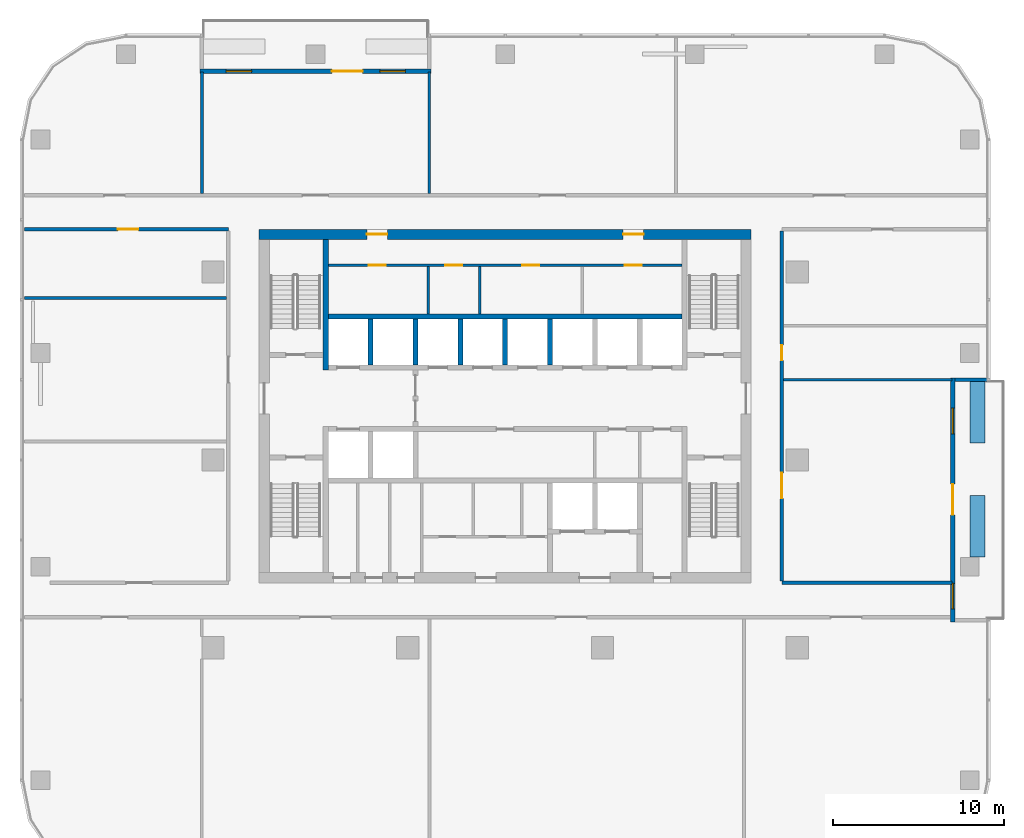
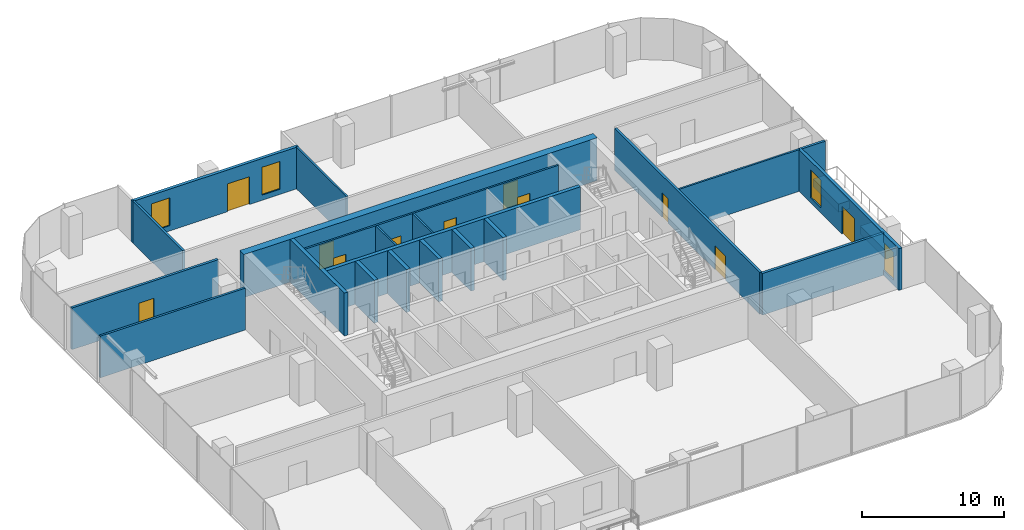
# One storey, part 9 of 14: 23 walls, 11 doors, 4 windows, 15 openings.
"""IFC4 building model written with IfcOpenShell, lengths in metres."""

from ifc_helpers import new_model, si_unit, direction, frame, frame_2d, origin, place, context, subcontext, project, spatial, rectangle, extrude, material, layer, layer_set, type_object, element, fill, save


model = new_model("IFC4")

# Units and contexts
model_context = context("Model", 3, precision=1e-05, world=origin(), true_north=direction((0.0, 1.0)))
body_context = subcontext(model_context, "Body", "Model", "MODEL_VIEW")
ifc_project = project(units=[si_unit("LENGTHUNIT", "METRE"), si_unit("AREAUNIT", "SQUARE_METRE"), si_unit("VOLUMEUNIT", "CUBIC_METRE"), si_unit("PLANEANGLEUNIT", "RADIAN"), si_unit("MASSUNIT", "GRAM", prefix="KILO")], contexts=[model_context])

# Site, building, storey
site_placement = place(None, origin())
site = spatial("IfcSite", under=ifc_project, at=site_placement, CompositionType="ELEMENT")
building_placement = place(site_placement, origin())
building = spatial("IfcBuilding", under=site, at=building_placement, Name="Mopane Tessera Tower", CompositionType="ELEMENT")
storey_placement = place(building_placement, frame((0.0, 0.0, 231.0)))
storey = spatial("IfcBuildingStorey", under=building, at=storey_placement, Name="L49", CompositionType="ELEMENT", Elevation=231.0)

# Walls
ifc_material_1 = material(Name="Fire-rated gypsum board partition")
ifc_layer_1 = layer(ifc_material_1, 0.14990234375)
ifc_layer_set_1 = layer_set([ifc_layer_1], Name="Fire-rated gypsum board partition")
wall_type_1 = type_object("IfcWallType", Name="Core room partition 150 mm", PredefinedType="PARTITIONING", material=ifc_layer_set_1)
for number, where, z_axis, x_axis, name in (
    (1, (-4.5, 8.550048828125, 0.0), (0.0, 0.0, 1.0), (0.0, 1.0, 0.0), "L49 Room partition"),
    (2, (-1.5, 8.550048828125, 0.0), (0.0, 0.0, 1.0), (0.0, 1.0, 0.0), "L49 Room partition"),
):
    element("IfcWall", number, at=place(storey_placement, frame(where, z_axis=z_axis, x_axis=x_axis)), inside=storey, type_object=wall_type_1, Name=name, PredefinedType="PARTITIONING", context=body_context, shape_type="SweptSolid", body=[
        extrude(rectangle(XDim=2.77490234375, YDim=0.14990234375, at=frame_2d((1.387451171875, 0.0))), origin(), (0.0, 0.0, 1.0), 3.699951171875),
    ])

# Wall, openings, doors
wall_1_placement = place(storey_placement, frame((-10.35009765625, 11.39990234375, 0.0), z_axis=(0.0, 0.0, 1.0), x_axis=(1.0, 0.0, 0.0)))
wall_1 = element("IfcWall", 3, at=wall_1_placement, inside=storey, type_object=wall_type_1, Name="L49 Corridor wall", PredefinedType="PARTITIONING", context=body_context, shape_type="SweptSolid", body=[
    extrude(rectangle(XDim=20.7001953125, YDim=0.14990234375, at=frame_2d((10.35009765625, 0.0))), origin(), (0.0, 0.0, 1.0), 3.699951171875),
])
opening_1_placement = place(wall_1_placement, frame((2.35009765625, 0.0, 0.0)))
opening_1 = element("IfcOpeningElement", 4, at=opening_1_placement, cuts=wall_1, Name="Opening RD1", PredefinedType="OPENING", context=body_context, shape_type="SweptSolid", body=[
    extrude(rectangle(XDim=1.0, YDim=2.10009765625, at=frame_2d((0.5, 1.050048828125))), frame((0.0, 0.0869140625, 0.0), z_axis=(0.0, -1.0, 0.0), x_axis=(1.0, 0.0, 0.0)), (0.0, 0.0, 1.0), 0.173828125),
])
opening_2_placement = place(wall_1_placement, frame((6.85009765625, 0.0, 0.0)))
opening_2 = element("IfcOpeningElement", 5, at=opening_2_placement, cuts=wall_1, Name="Opening RD1", PredefinedType="OPENING", context=body_context, shape_type="SweptSolid", body=[
    extrude(rectangle(XDim=1.0, YDim=2.10009765625, at=frame_2d((0.5, 1.050048828125))), frame((0.0, 0.0869140625, 0.0), z_axis=(0.0, -1.0, 0.0), x_axis=(1.0, 0.0, 0.0)), (0.0, 0.0, 1.0), 0.173828125),
])
opening_3_placement = place(wall_1_placement, frame((11.35009765625, 0.0, 0.0)))
opening_3 = element("IfcOpeningElement", 6, at=opening_3_placement, cuts=wall_1, Name="Opening RD1", PredefinedType="OPENING", context=body_context, shape_type="SweptSolid", body=[
    extrude(rectangle(XDim=1.0, YDim=2.10009765625, at=frame_2d((0.5, 1.050048828125))), frame((0.0, 0.0869140625, 0.0), z_axis=(0.0, -1.0, 0.0), x_axis=(1.0, 0.0, 0.0)), (0.0, 0.0, 1.0), 0.173828125),
])
opening_4_placement = place(wall_1_placement, frame((17.35009765625, 0.0, 0.0)))
opening_4 = element("IfcOpeningElement", 7, at=opening_4_placement, cuts=wall_1, Name="Opening RD1", PredefinedType="OPENING", context=body_context, shape_type="SweptSolid", body=[
    extrude(rectangle(XDim=1.0, YDim=2.10009765625, at=frame_2d((0.5, 1.050048828125))), frame((0.0, 0.0869140625, 0.0), z_axis=(0.0, -1.0, 0.0), x_axis=(1.0, 0.0, 0.0)), (0.0, 0.0, 1.0), 0.173828125),
])
ifc_material_2 = material(Name="Timber door", Category="wood")
door_type_1 = type_object("IfcDoorType", Name="Core room door 1000 x 2100", OperationType="SINGLE_SWING_LEFT", PredefinedType="DOOR", material=ifc_material_2)
door_1_placement = place(opening_1_placement, origin())
door_1 = element("IfcDoor", 8, at=door_1_placement, inside=storey, type_object=door_type_1, Name="L49 Room door", OperationType="SINGLE_SWING_LEFT", OverallHeight=2.10009765625, OverallWidth=1.0, PredefinedType="DOOR", context=body_context, shape_type="SweptSolid", body=[
    extrude(rectangle(XDim=1.0, YDim=2.10009765625, at=frame_2d((0.5, 1.050048828125))), frame((0.0, 0.02490234375, 0.0), z_axis=(0.0, -1.0, 0.0), x_axis=(1.0, 0.0, 0.0)), (0.0, 0.0, 1.0), 0.050048828125),
])
fill(opening_1, door_1)
door_2_placement = place(opening_2_placement, origin())
door_2 = element("IfcDoor", 9, at=door_2_placement, inside=storey, type_object=door_type_1, Name="L49 Room door", OperationType="SINGLE_SWING_LEFT", OverallHeight=2.10009765625, OverallWidth=1.0, PredefinedType="DOOR", context=body_context, shape_type="SweptSolid", body=[
    extrude(rectangle(XDim=1.0, YDim=2.10009765625, at=frame_2d((0.5, 1.050048828125))), frame((0.0, 0.02490234375, 0.0), z_axis=(0.0, -1.0, 0.0), x_axis=(1.0, 0.0, 0.0)), (0.0, 0.0, 1.0), 0.050048828125),
])
fill(opening_2, door_2)
door_3_placement = place(opening_3_placement, origin())
door_3 = element("IfcDoor", 10, at=door_3_placement, inside=storey, type_object=door_type_1, Name="L49 Room door", OperationType="SINGLE_SWING_LEFT", OverallHeight=2.10009765625, OverallWidth=1.0, PredefinedType="DOOR", context=body_context, shape_type="SweptSolid", body=[
    extrude(rectangle(XDim=1.0, YDim=2.10009765625, at=frame_2d((0.5, 1.050048828125))), frame((0.0, 0.02490234375, 0.0), z_axis=(0.0, -1.0, 0.0), x_axis=(1.0, 0.0, 0.0)), (0.0, 0.0, 1.0), 0.050048828125),
])
fill(opening_3, door_3)
door_4_placement = place(opening_4_placement, origin())
door_4 = element("IfcDoor", 11, at=door_4_placement, inside=storey, type_object=door_type_1, Name="L49 Room door", OperationType="SINGLE_SWING_LEFT", OverallHeight=2.10009765625, OverallWidth=1.0, PredefinedType="DOOR", context=body_context, shape_type="SweptSolid", body=[
    extrude(rectangle(XDim=1.0, YDim=2.10009765625, at=frame_2d((0.5, 1.050048828125))), frame((0.0, 0.02490234375, 0.0), z_axis=(0.0, -1.0, 0.0), x_axis=(1.0, 0.0, 0.0)), (0.0, 0.0, 1.0), 0.050048828125),
])
fill(opening_4, door_4)

ifc_material_3 = material(Name="Concrete C70/85", Category="concrete")
ifc_layer_2 = layer(ifc_material_3, 0.60009765625)
ifc_layer_set_2 = layer_set([ifc_layer_2], Name="Concrete C70/85")
wall_type_2 = type_object("IfcWallType", Name="Core shear wall 600 mm", PredefinedType="SHEAR", material=ifc_layer_set_2)
wall_2_placement = place(storey_placement, frame((-14.39990234375, 13.199951171875, 0.0), z_axis=(0.0, 0.0, 1.0), x_axis=(1.0, 0.0, 0.0)))
wall_2 = element("IfcWall", 12, at=wall_2_placement, inside=storey, type_object=wall_type_2, Name="L49 Core wall north", PredefinedType="SHEAR", context=body_context, shape_type="SweptSolid", body=[
    extrude(rectangle(XDim=28.7998046875, YDim=0.60009765625, at=frame_2d((14.39990234375, 0.0))), origin(), (0.0, 0.0, 1.0), 3.699951171875),
])
opening_5_placement = place(wall_2_placement, frame((6.300048828125, 0.0, 0.0)))
opening_5 = element("IfcOpeningElement", 13, at=opening_5_placement, cuts=wall_2, Name="Opening RD2", PredefinedType="OPENING", context=body_context, shape_type="SweptSolid", body=[
    extrude(rectangle(XDim=1.199951171875, YDim=2.10009765625, at=frame_2d((0.60009765625, 1.050048828125))), frame((0.0, 0.31201171875, 0.0), z_axis=(0.0, -1.0, 0.0), x_axis=(1.0, 0.0, 0.0)), (0.0, 0.0, 1.0), 0.6240234375),
])
opening_6_placement = place(wall_2_placement, frame((21.300048828125, 0.0, 0.0)))
opening_6 = element("IfcOpeningElement", 14, at=opening_6_placement, cuts=wall_2, Name="Opening RD2", PredefinedType="OPENING", context=body_context, shape_type="SweptSolid", body=[
    extrude(rectangle(XDim=1.199951171875, YDim=2.10009765625, at=frame_2d((0.60009765625, 1.050048828125))), frame((0.0, 0.31201171875, 0.0), z_axis=(0.0, -1.0, 0.0), x_axis=(1.0, 0.0, 0.0)), (0.0, 0.0, 1.0), 0.6240234375),
])
ifc_material_4 = material(Name="Timber door", Category="wood")
door_type_2 = type_object("IfcDoorType", Name="Core corridor door 1200 x 2100", OperationType="SINGLE_SWING_LEFT", PredefinedType="DOOR", material=ifc_material_4)
door_5_placement = place(opening_5_placement, origin())
door_5 = element("IfcDoor", 15, at=door_5_placement, inside=storey, type_object=door_type_2, Name="L49 Corridor door", OperationType="SINGLE_SWING_LEFT", OverallHeight=2.10009765625, OverallWidth=1.199951171875, PredefinedType="DOOR", context=body_context, shape_type="SweptSolid", body=[
    extrude(rectangle(XDim=1.199951171875, YDim=2.10009765625, at=frame_2d((0.60009765625, 1.050048828125))), frame((0.0, 0.02490234375, 0.0), z_axis=(0.0, -1.0, 0.0), x_axis=(1.0, 0.0, 0.0)), (0.0, 0.0, 1.0), 0.050048828125),
])
fill(opening_5, door_5)
door_6_placement = place(opening_6_placement, origin())
door_6 = element("IfcDoor", 16, at=door_6_placement, inside=storey, type_object=door_type_2, Name="L49 Corridor door", OperationType="SINGLE_SWING_RIGHT", OverallHeight=2.10009765625, OverallWidth=1.199951171875, PredefinedType="DOOR", context=body_context, shape_type="SweptSolid", body=[
    extrude(rectangle(XDim=1.199951171875, YDim=2.10009765625, at=frame_2d((0.60009765625, 1.050048828125))), frame((0.0, 0.02490234375, 0.0), z_axis=(0.0, -1.0, 0.0), x_axis=(1.0, 0.0, 0.0)), (0.0, 0.0, 1.0), 0.050048828125),
])
fill(opening_6, door_6)

# Walls
ifc_material_5 = material(Name="Concrete C60/75", Category="concrete")
ifc_layer_3 = layer(ifc_material_5, 0.300048828125)
ifc_layer_set_3 = layer_set([ifc_layer_3], Name="Concrete C60/75")
wall_type_3 = type_object("IfcWallType", Name="Core spine wall 300 mm", PredefinedType="SHEAR", material=ifc_layer_set_3)
wall_3_placement = place(storey_placement, frame((-10.5, 5.25, 0.0), z_axis=(0.0, 0.0, 1.0), x_axis=(0.0, 1.0, 0.0)))
element("IfcWall", 17, at=wall_3_placement, inside=storey, type_object=wall_type_3, Name="L49 Core spine wall", PredefinedType="SHEAR", context=body_context, shape_type="SweptSolid", body=[
    extrude(rectangle(XDim=7.64990234375, YDim=0.300048828125, at=frame_2d((3.824951171875, 0.0))), origin(), (0.0, 0.0, 1.0), 3.699951171875),
])
ifc_material_6 = material(Name="Gypsum board on staggered steel studs, double layer each face, acoustic mineral wool infill", Category="steel")
ifc_layer_4 = layer(ifc_material_6, 0.175048828125)
ifc_layer_set_4 = layer_set([ifc_layer_4], Name="Gypsum board on staggered steel studs, double layer each face, acoustic mineral wool infill")
wall_type_4 = type_object("IfcWallType", Name="Gypsum board acoustic partition 175, rated EI 60", PredefinedType="PARTITIONING", material=ifc_layer_set_4)
wall_4_placement = place(storey_placement, frame((-28.14990234375, 9.485107421875, 0.0), z_axis=(0.0, 0.0, 1.0), x_axis=(1.0, 0.0, 0.0)))
element("IfcWall", 18, at=wall_4_placement, inside=storey, type_object=wall_type_4, Name="Partition L49:006", PredefinedType="PARTITIONING", context=body_context, shape_type="SweptSolid", body=[
    extrude(rectangle(XDim=11.849853515625, YDim=0.175048828125, at=frame_2d((5.9248046875, 0.0))), origin(), (0.0, 0.0, 1.0), 3.60009765625),
])
wall_5_placement = place(storey_placement, frame((-17.760009765625, 15.60009765625, 0.0), z_axis=(0.0, 0.0, 1.0), x_axis=(0.0, 1.0, 0.0)))
element("IfcWall", 19, at=wall_5_placement, inside=storey, type_object=wall_type_4, Name="Partition L49:012", PredefinedType="PARTITIONING", context=body_context, shape_type="SweptSolid", body=[
    extrude(rectangle(XDim=7.099853515625, YDim=0.175048828125, at=frame_2d((3.5498046875, 0.0))), origin(), (0.0, 0.0, 1.0), 3.60009765625),
])
ifc_material_7 = material(Name="Gypsum board on steel studs, two layers each face, mineral wool infill", Category="steel")
ifc_layer_5 = layer(ifc_material_7, 0.199951171875)
ifc_layer_set_5 = layer_set([ifc_layer_5], Name="Gypsum board on steel studs, two layers each face, mineral wool infill")
wall_type_5 = type_object("IfcWallType", Name="Gypsum board corridor wall 200, rated EI 60", PredefinedType="PARTITIONING", material=ifc_layer_set_5)
wall_6_placement = place(storey_placement, frame((16.199951171875, -7.199951171875, 0.0), z_axis=(0.0, 0.0, 1.0), x_axis=(1.0, 0.0, 0.0)))
element("IfcWall", 20, at=wall_6_placement, inside=storey, type_object=wall_type_5, Name="Partition L49:002", PredefinedType="PARTITIONING", context=body_context, shape_type="SweptSolid", body=[
    extrude(rectangle(XDim=9.949951171875, YDim=0.199951171875, at=frame_2d((4.97509765625, 0.0))), origin(), (0.0, 0.0, 1.0), 3.60009765625),
])

# Wall, opening, door
wall_7_placement = place(storey_placement, frame((-28.14990234375, 13.5, 0.0), z_axis=(0.0, 0.0, 1.0), x_axis=(1.0, 0.0, 0.0)))
wall_7 = element("IfcWall", 21, at=wall_7_placement, inside=storey, type_object=wall_type_5, Name="Partition L49:007", PredefinedType="PARTITIONING", context=body_context, shape_type="SweptSolid", body=[
    extrude(rectangle(XDim=11.949951171875, YDim=0.199951171875, at=frame_2d((5.97509765625, 0.0))), origin(), (0.0, 0.0, 1.0), 3.60009765625),
])
opening_7_placement = place(wall_7_placement, frame((5.47509765625, 0.0, 0.0)))
opening_7 = element("IfcOpeningElement", 22, at=opening_7_placement, cuts=wall_7, Name="Opening L49-01", PredefinedType="OPENING", context=body_context, shape_type="SweptSolid", body=[
    extrude(rectangle(XDim=1.199951171875, YDim=2.10009765625, at=frame_2d((0.60009765625, 1.050048828125))), frame((0.0, 0.112060546875, 0.0), z_axis=(0.0, -1.0, 0.0), x_axis=(1.0, 0.0, 0.0)), (0.0, 0.0, 1.0), 0.223876953125),
])
ifc_material_8 = material(Name="Timber veneered steel-framed fire door", Category="steel")
door_type_3 = type_object("IfcDoorType", Name="Fire door FD60 1200 x 2100", OperationType="SINGLE_SWING_LEFT", PredefinedType="DOOR", material=ifc_material_8)
door_7_placement = place(opening_7_placement, origin())
door_7 = element("IfcDoor", 23, at=door_7_placement, inside=storey, type_object=door_type_3, Name="Door L49-01", ObjectType="D15A", OperationType="SINGLE_SWING_LEFT", OverallHeight=2.10009765625, OverallWidth=1.199951171875, PredefinedType="DOOR", context=body_context, shape_type="SweptSolid", body=[
    extrude(rectangle(XDim=1.199951171875, YDim=2.10009765625, at=frame_2d((0.60009765625, 1.050048828125))), frame((0.0, 0.02490234375, 0.0), z_axis=(0.0, -1.0, 0.0), x_axis=(1.0, 0.0, 0.0)), (0.0, 0.0, 1.0), 0.050048828125),
])
fill(opening_7, door_7)

# Wall, openings, doors
wall_8_placement = place(storey_placement, frame((16.199951171875, -7.10009765625, 0.0), z_axis=(0.0, 0.0, 1.0), x_axis=(0.0, 1.0, 0.0)))
wall_8 = element("IfcWall", 24, at=wall_8_placement, inside=storey, type_object=wall_type_5, Name="Partition L49:018", PredefinedType="PARTITIONING", context=body_context, shape_type="SweptSolid", body=[
    extrude(rectangle(XDim=20.5, YDim=0.199951171875, at=frame_2d((10.25, 0.0))), origin(), (0.0, 0.0, 1.0), 3.60009765625),
])
opening_8_placement = place(wall_8_placement, frame((4.844970703125, 0.0, 0.0)))
opening_8 = element("IfcOpeningElement", 25, at=opening_8_placement, cuts=wall_8, Name="Opening L49-05", PredefinedType="OPENING", context=body_context, shape_type="SweptSolid", body=[
    extrude(rectangle(XDim=1.5, YDim=2.10009765625, at=frame_2d((0.75, 1.050048828125))), frame((0.0, 0.112060546875, 0.0), z_axis=(0.0, -1.0, 0.0), x_axis=(1.0, 0.0, 0.0)), (0.0, 0.0, 1.0), 0.223876953125),
])
opening_9_placement = place(wall_8_placement, frame((12.922607421875, 0.0, 0.0)))
opening_9 = element("IfcOpeningElement", 26, at=opening_9_placement, cuts=wall_8, Name="Opening L49-11", PredefinedType="OPENING", context=body_context, shape_type="SweptSolid", body=[
    extrude(rectangle(XDim=0.89990234375, YDim=2.10009765625, at=frame_2d((0.449951171875, 1.050048828125))), frame((0.0, 0.112060546875, 0.0), z_axis=(0.0, -1.0, 0.0), x_axis=(1.0, 0.0, 0.0)), (0.0, 0.0, 1.0), 0.223876953125),
])
ifc_material_9 = material(Name="Timber veneered steel-framed fire door", Category="steel")
door_type_4 = type_object("IfcDoorType", Name="Fire door FD60 900 x 2100", OperationType="SINGLE_SWING_LEFT", PredefinedType="DOOR", material=ifc_material_9)
door_8_placement = place(opening_9_placement, origin())
door_8 = element("IfcDoor", 27, at=door_8_placement, inside=storey, type_object=door_type_4, Name="Door L49-11", ObjectType="D10A", OperationType="SINGLE_SWING_LEFT", OverallHeight=2.10009765625, OverallWidth=0.89990234375, PredefinedType="DOOR", context=body_context, shape_type="SweptSolid", body=[
    extrude(rectangle(XDim=0.89990234375, YDim=2.10009765625, at=frame_2d((0.449951171875, 1.050048828125))), frame((0.0, 0.02490234375, 0.0), z_axis=(0.0, -1.0, 0.0), x_axis=(1.0, 0.0, 0.0)), (0.0, 0.0, 1.0), 0.050048828125),
])
fill(opening_9, door_8)
ifc_material_10 = material(Name="Timber veneered steel-framed fire door", Category="steel")
door_type_5 = type_object("IfcDoorType", Name="Fire door pair FD60 1500 x 2100", OperationType="DOUBLE_DOOR_SINGLE_SWING", PredefinedType="DOOR", material=ifc_material_10)
door_9_placement = place(opening_8_placement, origin())
door_9 = element("IfcDoor", 28, at=door_9_placement, inside=storey, type_object=door_type_5, Name="Door L49-05", ObjectType="D17A", OperationType="DOUBLE_DOOR_SINGLE_SWING", OverallHeight=2.10009765625, OverallWidth=1.5, PredefinedType="DOOR", context=body_context, shape_type="SweptSolid", body=[
    extrude(rectangle(XDim=1.5, YDim=2.10009765625, at=frame_2d((0.75, 1.050048828125))), frame((0.0, 0.02490234375, 0.0), z_axis=(0.0, -1.0, 0.0), x_axis=(1.0, 0.0, 0.0)), (0.0, 0.0, 1.0), 0.050048828125),
])
fill(opening_8, door_9)

# Walls
ifc_material_11 = material(Name="Gypsum board on steel studs, mineral wool infill", Category="steel")
ifc_layer_6 = layer(ifc_material_11, 0.14990234375)
ifc_layer_set_6 = layer_set([ifc_layer_6], Name="Gypsum board on steel studs, mineral wool infill")
wall_type_6 = type_object("IfcWallType", Name="Gypsum board partition 150, rated EI 60", PredefinedType="PARTITIONING", material=ifc_layer_set_6)
wall_9_placement = place(storey_placement, frame((16.300048828125, 4.68994140625, 0.0), z_axis=(0.0, 0.0, 1.0), x_axis=(1.0, 0.0, 0.0)))
element("IfcWall", 29, at=wall_9_placement, inside=storey, type_object=wall_type_6, Name="Partition L49:004", PredefinedType="PARTITIONING", context=body_context, shape_type="SweptSolid", body=[
    extrude(rectangle(XDim=9.849853515625, YDim=0.14990234375, at=frame_2d((4.9248046875, 0.0))), origin(), (0.0, 0.0, 1.0), 3.60009765625),
])
wall_10_placement = place(storey_placement, frame((-4.43994140625, 15.60009765625, 0.0), z_axis=(0.0, 0.0, 1.0), x_axis=(0.0, 1.0, 0.0)))
element("IfcWall", 30, at=wall_10_placement, inside=storey, type_object=wall_type_6, Name="Partition L49:014", PredefinedType="PARTITIONING", context=body_context, shape_type="SweptSolid", body=[
    extrude(rectangle(XDim=7.099853515625, YDim=0.14990234375, at=frame_2d((3.5498046875, 0.0))), origin(), (0.0, 0.0, 1.0), 3.60009765625),
])
ifc_material_12 = material(Name="Concrete C50/60", Category="concrete")
ifc_layer_7 = layer(ifc_material_12, 0.300048828125)
ifc_layer_set_7 = layer_set([ifc_layer_7], Name="Concrete C50/60")
wall_type_7 = type_object("IfcWallType", Name="Lift and stair shaft wall 300 mm", PredefinedType="SOLIDWALL", material=ifc_layer_set_7)
wall_11_placement = place(storey_placement, frame((-10.35009765625, 8.39990234375, 0.0), z_axis=(0.0, 0.0, 1.0), x_axis=(1.0, 0.0, 0.0)))
element("IfcWall", 31, at=wall_11_placement, inside=storey, type_object=wall_type_7, Name="L49 Lift shaft rear wall", PredefinedType="SOLIDWALL", context=body_context, shape_type="SweptSolid", body=[
    extrude(rectangle(XDim=20.7001953125, YDim=0.300048828125, at=frame_2d((10.35009765625, 0.0))), origin(), (0.0, 0.0, 1.0), 3.699951171875),
])
for number, where, z_axis, x_axis, name in (
    (32, (-7.875, 5.550048828125, 0.0), (0.0, 0.0, 1.0), (0.0, 1.0, 0.0), "L49 Lift shaft wall"),
    (33, (-5.25, 5.550048828125, 0.0), (0.0, 0.0, 1.0), (0.0, 1.0, 0.0), "L49 Lift shaft wall"),
    (34, (-2.625, 5.550048828125, 0.0), (0.0, 0.0, 1.0), (0.0, 1.0, 0.0), "L49 Lift shaft wall"),
    (35, (0.0, 5.550048828125, 0.0), (0.0, 0.0, 1.0), (0.0, 1.0, 0.0), "L49 Lift shaft wall"),
    (36, (2.625, 5.550048828125, 0.0), (0.0, 0.0, 1.0), (0.0, 1.0, 0.0), "L49 Lift shaft wall"),
):
    element("IfcWall", number, at=place(storey_placement, frame(where, z_axis=z_axis, x_axis=x_axis)), inside=storey, type_object=wall_type_7, Name=name, PredefinedType="SOLIDWALL", context=body_context, shape_type="SweptSolid", body=[
        extrude(rectangle(XDim=2.699951171875, YDim=0.300048828125, at=frame_2d((1.35009765625, 0.0))), origin(), (0.0, 0.0, 1.0), 3.699951171875),
    ])
ifc_material_13 = material(Name="Reinforced concrete C32/40 with waterproofing", Category="concrete")
ifc_layer_8 = layer(ifc_material_13, 0.89990234375)
ifc_layer_set_8 = layer_set([ifc_layer_8], Name="Reinforced concrete C32/40 with waterproofing")
wall_type_8 = type_object("IfcWallType", Name="Planter trough 3600 x 900", PredefinedType="STANDARD", material=ifc_layer_set_8)
for number, where, z_axis, x_axis, name in (
    (37, (27.64990234375, -5.679931640625, 0.0), (0.0, 0.0, 1.0), (0.0, 1.0, 0.0), "e:nw:L49:N2:pl0"),
    (38, (27.64990234375, 0.987548828125, 0.0), (0.0, 0.0, 1.0), (0.0, 1.0, 0.0), "e:nw:L49:N2:pl1"),
):
    element("IfcWall", number, at=place(storey_placement, frame(where, z_axis=z_axis, x_axis=x_axis)), inside=storey, type_object=wall_type_8, Name=name, PredefinedType="STANDARD", context=body_context, shape_type="SweptSolid", body=[
        extrude(rectangle(XDim=3.599853515625, YDim=0.89990234375, at=frame_2d((1.7998046875, 0.0))), origin(), (0.0, 0.0, 1.0), 0.699951171875),
    ])
ifc_material_14 = material(Name="Blockwork with glazed tile facing", Category="masonry")
ifc_layer_9 = layer(ifc_material_14, 0.199951171875)
ifc_layer_set_9 = layer_set([ifc_layer_9], Name="Blockwork with glazed tile facing")
wall_type_9 = type_object("IfcWallType", Name="Terrace cheek wall 200", PredefinedType="STANDARD", material=ifc_layer_set_9)
wall_12_placement = place(storey_placement, frame((28.199951171875, 4.6875, 0.0), z_axis=(0.0, 0.0, 1.0), x_axis=(-1.0, 0.0, 0.0)))
element("IfcWall", 39, at=wall_12_placement, inside=storey, type_object=wall_type_9, Name="e:nw:L49:N2:cheekb", PredefinedType="STANDARD", context=body_context, shape_type="SweptSolid", body=[
    extrude(rectangle(XDim=1.875, YDim=0.199951171875, at=frame_2d((0.9375, 0.0))), origin(), (0.0, 0.0, 1.0), 3.60009765625),
])

# Wall, openings, windows, door
ifc_material_15 = material(Name="Blockwork with ultramarine glazed tile facing", Category="masonry")
ifc_layer_10 = layer(ifc_material_15, 0.25)
ifc_layer_set_10 = layer_set([ifc_layer_10], Name="Blockwork with ultramarine glazed tile facing")
wall_type_10 = type_object("IfcWallType", Name="Tile-clad external wall 250, ultramarine", PredefinedType="STANDARD", material=ifc_layer_set_10)
wall_13_placement = place(storey_placement, frame((26.199951171875, -9.47509765625, 0.0), z_axis=(0.0, 0.0, 1.0), x_axis=(0.0, 1.0, 0.0)))
wall_13 = element("IfcWall", 40, at=wall_13_placement, inside=storey, type_object=wall_type_10, Name="e:nw:L49:N2:back", PredefinedType="STANDARD", context=body_context, shape_type="SweptSolid", body=[
    extrude(rectangle(XDim=14.2626953125, YDim=0.25, at=frame_2d((7.13134765625, 0.0))), origin(), (0.0, 0.0, 1.0), 3.60009765625),
])
opening_10_placement = place(wall_13_placement, frame((0.75, 0.0, 0.449951171875)))
opening_10 = element("IfcOpeningElement", 41, at=opening_10_placement, cuts=wall_13, Name="Opening NW492A", PredefinedType="OPENING", context=body_context, shape_type="SweptSolid", body=[
    extrude(rectangle(XDim=1.5, YDim=2.39990234375, at=frame_2d((0.75, 1.199951171875))), frame((0.0, 0.136962890625, 0.0), z_axis=(0.0, -1.0, 0.0), x_axis=(1.0, 0.0, 0.0)), (0.0, 0.0, 1.0), 0.27392578125),
])
opening_11_placement = place(wall_13_placement, frame((6.25, 0.0, 0.0)))
opening_11 = element("IfcOpeningElement", 42, at=opening_11_placement, cuts=wall_13, Name="Opening ND492", PredefinedType="OPENING", context=body_context, shape_type="SweptSolid", body=[
    extrude(rectangle(XDim=1.800048828125, YDim=2.39990234375, at=frame_2d((0.89990234375, 1.199951171875))), frame((0.0, 0.136962890625, 0.0), z_axis=(0.0, -1.0, 0.0), x_axis=(1.0, 0.0, 0.0)), (0.0, 0.0, 1.0), 0.27392578125),
])
opening_12_placement = place(wall_13_placement, frame((11.0, 0.0, 0.449951171875)))
opening_12 = element("IfcOpeningElement", 43, at=opening_12_placement, cuts=wall_13, Name="Opening NW492B", PredefinedType="OPENING", context=body_context, shape_type="SweptSolid", body=[
    extrude(rectangle(XDim=1.5, YDim=2.39990234375, at=frame_2d((0.75, 1.199951171875))), frame((0.0, 0.136962890625, 0.0), z_axis=(0.0, -1.0, 0.0), x_axis=(1.0, 0.0, 0.0)), (0.0, 0.0, 1.0), 0.27392578125),
])
ifc_material_16 = material(Name="Clear laminated glass", Category="glass")
window_type = type_object("IfcWindowType", Name="Fixed window 1500 x 2400", PartitioningType="SINGLE_PANEL", PredefinedType="WINDOW", material=ifc_material_16)
window_1_placement = place(opening_10_placement, origin())
window_1 = element("IfcWindow", 44, at=window_1_placement, inside=storey, type_object=window_type, Name="e:nw:L49:N2:win0", OverallHeight=2.39990234375, OverallWidth=1.5, PartitioningType="SINGLE_PANEL", PredefinedType="WINDOW", context=body_context, shape_type="SweptSolid", body=[
    extrude(rectangle(XDim=1.5, YDim=2.39990234375, at=frame_2d((0.75, 1.199951171875))), frame((0.0, 0.030029296875, 0.0), z_axis=(0.0, -1.0, 0.0), x_axis=(1.0, 0.0, 0.0)), (0.0, 0.0, 1.0), 0.06005859375),
])
fill(opening_10, window_1)
window_2_placement = place(opening_12_placement, origin())
window_2 = element("IfcWindow", 45, at=window_2_placement, inside=storey, type_object=window_type, Name="e:nw:L49:N2:win2", OverallHeight=2.39990234375, OverallWidth=1.5, PartitioningType="SINGLE_PANEL", PredefinedType="WINDOW", context=body_context, shape_type="SweptSolid", body=[
    extrude(rectangle(XDim=1.5, YDim=2.39990234375, at=frame_2d((0.75, 1.199951171875))), frame((0.0, 0.030029296875, 0.0), z_axis=(0.0, -1.0, 0.0), x_axis=(1.0, 0.0, 0.0)), (0.0, 0.0, 1.0), 0.06005859375),
])
fill(opening_12, window_2)
ifc_material_17 = material(Name="Aluminium and clear glass", Category="aluminium")
door_type_6 = type_object("IfcDoorType", Name="Terrace double door 1800 x 2400", OperationType="DOUBLE_DOOR_SINGLE_SWING", PredefinedType="DOOR", material=ifc_material_17)
door_10_placement = place(opening_11_placement, origin())
door_10 = element("IfcDoor", 46, at=door_10_placement, inside=storey, type_object=door_type_6, Name="e:nw:L49:N2:door", ObjectType="D1", OperationType="DOUBLE_DOOR_SINGLE_SWING", OverallHeight=2.39990234375, OverallWidth=1.800048828125, PredefinedType="DOOR", context=body_context, shape_type="SweptSolid", body=[
    extrude(rectangle(XDim=1.800048828125, YDim=2.39990234375, at=frame_2d((0.89990234375, 1.199951171875))), frame((0.0, 0.02490234375, 0.0), z_axis=(0.0, -1.0, 0.0), x_axis=(1.0, 0.0, 0.0)), (0.0, 0.0, 1.0), 0.050048828125),
])
fill(opening_11, door_10)

wall_14_placement = place(storey_placement, frame((-4.340087890625, 22.75, 0.0), z_axis=(0.0, 0.0, 1.0), x_axis=(-1.0, 0.0, 0.0)))
wall_14 = element("IfcWall", 47, at=wall_14_placement, inside=storey, type_object=wall_type_10, Name="e:nw:L49:N3:back", PredefinedType="STANDARD", context=body_context, shape_type="SweptSolid", body=[
    extrude(rectangle(XDim=13.52001953125, YDim=0.25, at=frame_2d((6.760009765625, 0.0))), origin(), (0.0, 0.0, 1.0), 3.60009765625),
])
opening_13_placement = place(wall_14_placement, frame((1.5, 0.0, 0.449951171875)))
opening_13 = element("IfcOpeningElement", 48, at=opening_13_placement, cuts=wall_14, Name="Opening NW493A", PredefinedType="OPENING", context=body_context, shape_type="SweptSolid", body=[
    extrude(rectangle(XDim=1.5, YDim=2.39990234375, at=frame_2d((0.75, 1.199951171875))), frame((0.0, 0.136962890625, 0.0), z_axis=(0.0, -1.0, 0.0), x_axis=(1.0, 0.0, 0.0)), (0.0, 0.0, 1.0), 0.27392578125),
])
opening_14_placement = place(wall_14_placement, frame((4.0, 0.0, 0.0)))
opening_14 = element("IfcOpeningElement", 49, at=opening_14_placement, cuts=wall_14, Name="Opening ND493", PredefinedType="OPENING", context=body_context, shape_type="SweptSolid", body=[
    extrude(rectangle(XDim=1.800048828125, YDim=2.39990234375, at=frame_2d((0.89990234375, 1.199951171875))), frame((0.0, 0.136962890625, 0.0), z_axis=(0.0, -1.0, 0.0), x_axis=(1.0, 0.0, 0.0)), (0.0, 0.0, 1.0), 0.27392578125),
])
opening_15_placement = place(wall_14_placement, frame((10.5, 0.0, 0.449951171875)))
opening_15 = element("IfcOpeningElement", 50, at=opening_15_placement, cuts=wall_14, Name="Opening NW493B", PredefinedType="OPENING", context=body_context, shape_type="SweptSolid", body=[
    extrude(rectangle(XDim=1.5, YDim=2.39990234375, at=frame_2d((0.75, 1.199951171875))), frame((0.0, 0.136962890625, 0.0), z_axis=(0.0, -1.0, 0.0), x_axis=(1.0, 0.0, 0.0)), (0.0, 0.0, 1.0), 0.27392578125),
])
window_3_placement = place(opening_13_placement, origin())
window_3 = element("IfcWindow", 51, at=window_3_placement, inside=storey, type_object=window_type, Name="e:nw:L49:N3:win0", OverallHeight=2.39990234375, OverallWidth=1.5, PartitioningType="SINGLE_PANEL", PredefinedType="WINDOW", context=body_context, shape_type="SweptSolid", body=[
    extrude(rectangle(XDim=1.5, YDim=2.39990234375, at=frame_2d((0.75, 1.199951171875))), frame((0.0, 0.030029296875, 0.0), z_axis=(0.0, -1.0, 0.0), x_axis=(1.0, 0.0, 0.0)), (0.0, 0.0, 1.0), 0.06005859375),
])
fill(opening_13, window_3)
window_4_placement = place(opening_15_placement, origin())
window_4 = element("IfcWindow", 52, at=window_4_placement, inside=storey, type_object=window_type, Name="e:nw:L49:N3:win2", OverallHeight=2.39990234375, OverallWidth=1.5, PartitioningType="SINGLE_PANEL", PredefinedType="WINDOW", context=body_context, shape_type="SweptSolid", body=[
    extrude(rectangle(XDim=1.5, YDim=2.39990234375, at=frame_2d((0.75, 1.199951171875))), frame((0.0, 0.030029296875, 0.0), z_axis=(0.0, -1.0, 0.0), x_axis=(1.0, 0.0, 0.0)), (0.0, 0.0, 1.0), 0.06005859375),
])
fill(opening_15, window_4)
door_11_placement = place(opening_14_placement, origin())
door_11 = element("IfcDoor", 53, at=door_11_placement, inside=storey, type_object=door_type_6, Name="e:nw:L49:N3:door", ObjectType="D1", OperationType="DOUBLE_DOOR_SINGLE_SWING", OverallHeight=2.39990234375, OverallWidth=1.800048828125, PredefinedType="DOOR", context=body_context, shape_type="SweptSolid", body=[
    extrude(rectangle(XDim=1.800048828125, YDim=2.39990234375, at=frame_2d((0.89990234375, 1.199951171875))), frame((0.0, 0.02490234375, 0.0), z_axis=(0.0, -1.0, 0.0), x_axis=(1.0, 0.0, 0.0)), (0.0, 0.0, 1.0), 0.050048828125),
])
fill(opening_14, door_11)

save(model, "model.ifc")
